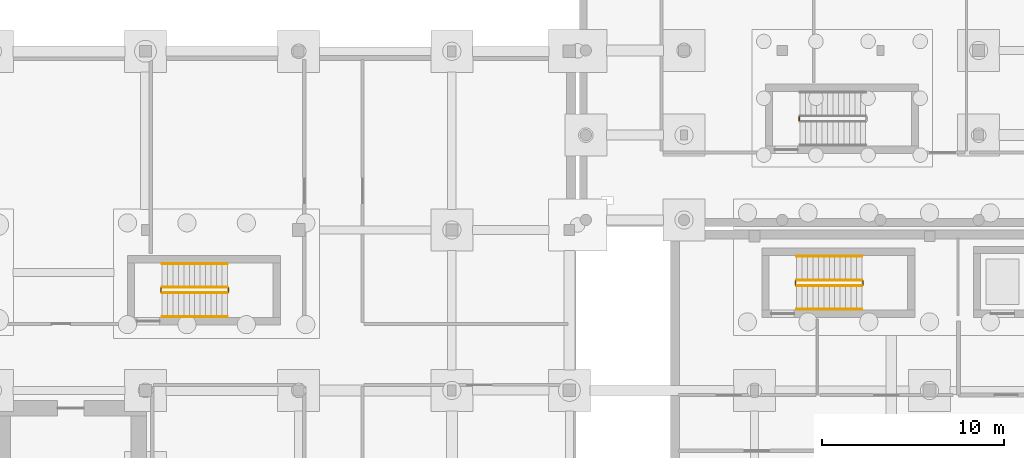
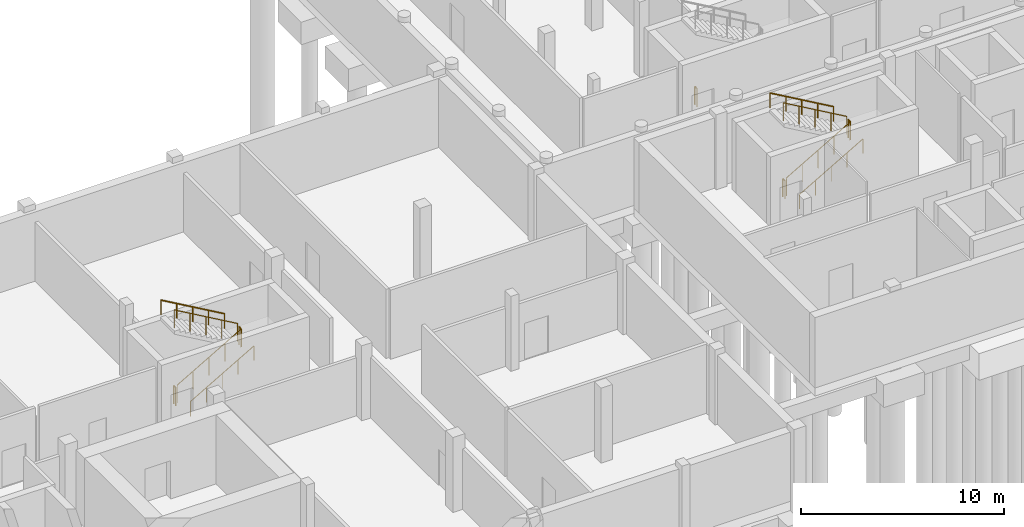
# One storey, part 11 of 14: 13 railings.
"""IFC4 building model written with IfcOpenShell, lengths in metres."""

from ifc_helpers import new_model, si_unit, direction, frame, origin, origin_2d, place, context, subcontext, project, spatial, circle, extrude, material, type_object, element, save


model = new_model("IFC4")

# Units and contexts
model_context = context("Model", 3, precision=1e-05, world=origin(), true_north=direction((0.0, 1.0)))
body_context = subcontext(model_context, "Body", "Model", "MODEL_VIEW")
ifc_project = project(units=[si_unit("LENGTHUNIT", "METRE"), si_unit("AREAUNIT", "SQUARE_METRE"), si_unit("VOLUMEUNIT", "CUBIC_METRE"), si_unit("PLANEANGLEUNIT", "RADIAN"), si_unit("MASSUNIT", "GRAM", prefix="KILO")], contexts=[model_context])

# Site, building, storey
site_placement = place(None, origin())
site = spatial("IfcSite", under=ifc_project, at=site_placement, CompositionType="ELEMENT")
building_placement = place(site_placement, origin())
building = spatial("IfcBuilding", under=site, at=building_placement, Name="Birchvale Park Specialist Clinic", CompositionType="ELEMENT")
storey_placement = place(building_placement, frame((0.0, 0.0, -4.5)))
storey = spatial("IfcBuildingStorey", under=building, at=storey_placement, Name="B1", CompositionType="ELEMENT", Elevation=-4.5)

# Railings
ifc_material_1 = material(Name="Brushed stainless steel guard railing", Category="steel")
railing_type_1 = type_object("IfcRailingType", Name="RL-GRD1", PredefinedType="GUARDRAIL", material=ifc_material_1)
railing_1_placement = place(storey_placement, frame((63.85009765625, 40.60009765625, 0.0)))
element("IfcRailing", 1, at=railing_1_placement, inside=storey, type_object=railing_type_1, Name="B1 ST1 stair guard 4", PredefinedType="GUARDRAIL", context=body_context, shape_type="SweptSolid", body=[
    extrude(circle(Radius=0.02392578125, at=origin_2d()), frame((0.0, 0.0, 1.076171875), z_axis=(0.0, 1.0, 0.0), x_axis=(-1.0, 0.0, 0.0)), (0.0, 0.0, 1.0), 0.199951171875),
    extrude(circle(Radius=0.02099609375, at=origin_2d()), origin(), (0.0, 0.0, 1.0), 1.052001953125),
    extrude(circle(Radius=0.02099609375, at=origin_2d()), frame((0.0, 0.199951171875, 0.0)), (0.0, 0.0, 1.0), 1.052001953125),
])
railing_2_placement = place(storey_placement, frame((28.89990234375, 31.14990234375, 0.173095703125)))
element("IfcRailing", 2, at=railing_2_placement, inside=storey, type_object=railing_type_1, Name="B1 ST2 stair guard 1", PredefinedType="GUARDRAIL", context=body_context, shape_type="SweptSolid", body=[
    extrude(circle(Radius=0.02392578125, at=origin_2d()), frame((0.0, 0.0, 1.076171875), z_axis=(0.866193409371, 0.0, 0.499708892819), x_axis=(0.0, 1.0, 0.0)), (0.0, 0.0, 1.0), 4.15625),
    extrude(circle(Radius=0.02099609375, at=origin_2d()), origin(), (0.0, 0.0, 1.0), 1.052001953125),
    extrude(circle(Radius=0.02099609375, at=origin_2d()), frame((0.89990234375, 0.0, 0.519287109375)), (0.0, 0.0, 1.0), 1.052001953125),
    extrude(circle(Radius=0.02099609375, at=origin_2d()), frame((1.800048828125, 0.0, 1.03857421875)), (0.0, 0.0, 1.0), 1.052001953125),
    extrude(circle(Radius=0.02099609375, at=origin_2d()), frame((2.7001953125, 0.0, 1.5576171875)), (0.0, 0.0, 1.0), 1.052001953125),
    extrude(circle(Radius=0.02099609375, at=origin_2d()), frame((3.60009765625, 0.0, 2.076904296875)), (0.0, 0.0, 1.0), 1.052001953125),
])
railing_3_placement = place(storey_placement, frame((32.550048828125, 31.199951171875, 2.25)))
element("IfcRailing", 3, at=railing_3_placement, inside=storey, type_object=railing_type_1, Name="B1 ST2 stair guard 2", PredefinedType="GUARDRAIL", context=body_context, shape_type="SweptSolid", body=[
    extrude(circle(Radius=0.02392578125, at=origin_2d()), frame((0.0, 0.0, 1.076171875), z_axis=(0.0, 1.0, 0.0), x_axis=(-1.0, 0.0, 0.0)), (0.0, 0.0, 1.0), 0.199951171875),
    extrude(circle(Radius=0.02099609375, at=origin_2d()), origin(), (0.0, 0.0, 1.0), 1.052001953125),
    extrude(circle(Radius=0.02099609375, at=origin_2d()), frame((0.0, 0.199951171875, 0.0)), (0.0, 0.0, 1.0), 1.052001953125),
])
railing_4_placement = place(storey_placement, frame((32.5, 31.449951171875, 2.423095703125)))
element("IfcRailing", 4, at=railing_4_placement, inside=storey, type_object=railing_type_1, Name="B1 ST2 stair guard 3", PredefinedType="GUARDRAIL", context=body_context, shape_type="SweptSolid", body=[
    extrude(circle(Radius=0.02392578125, at=origin_2d()), frame((0.0, 0.0, 1.076171875), z_axis=(-0.866193409371, 0.0, 0.499708892819), x_axis=(0.0, -1.0, 0.0)), (0.0, 0.0, 1.0), 4.15625),
    extrude(circle(Radius=0.02099609375, at=origin_2d()), origin(), (0.0, 0.0, 1.0), 1.052001953125),
    extrude(circle(Radius=0.02099609375, at=origin_2d()), frame((-0.89990234375, 0.0, 0.519287109375)), (0.0, 0.0, 1.0), 1.052001953125),
    extrude(circle(Radius=0.02099609375, at=origin_2d()), frame((-1.800048828125, 0.0, 1.03857421875)), (0.0, 0.0, 1.0), 1.052001953125),
    extrude(circle(Radius=0.02099609375, at=origin_2d()), frame((-2.7001953125, 0.0, 1.5576171875)), (0.0, 0.0, 1.0), 1.052001953125),
    extrude(circle(Radius=0.02099609375, at=origin_2d()), frame((-3.60009765625, 0.0, 2.076904296875)), (0.0, 0.0, 1.0), 1.052001953125),
])
railing_5_placement = place(storey_placement, frame((28.85009765625, 31.199951171875, 0.0)))
element("IfcRailing", 5, at=railing_5_placement, inside=storey, type_object=railing_type_1, Name="B1 ST2 stair guard 4", PredefinedType="GUARDRAIL", context=body_context, shape_type="SweptSolid", body=[
    extrude(circle(Radius=0.02392578125, at=origin_2d()), frame((0.0, 0.0, 1.076171875), z_axis=(0.0, 1.0, 0.0), x_axis=(-1.0, 0.0, 0.0)), (0.0, 0.0, 1.0), 0.199951171875),
    extrude(circle(Radius=0.02099609375, at=origin_2d()), origin(), (0.0, 0.0, 1.0), 1.052001953125),
    extrude(circle(Radius=0.02099609375, at=origin_2d()), frame((0.0, 0.199951171875, 0.0)), (0.0, 0.0, 1.0), 1.052001953125),
])
railing_6_placement = place(storey_placement, frame((63.699951171875, 31.550048828125, 0.173095703125)))
element("IfcRailing", 6, at=railing_6_placement, inside=storey, type_object=railing_type_1, Name="B1 ST4 stair guard 1", PredefinedType="GUARDRAIL", context=body_context, shape_type="SweptSolid", body=[
    extrude(circle(Radius=0.02392578125, at=origin_2d()), frame((0.0, 0.0, 1.076171875), z_axis=(0.866193409371, 0.0, 0.499708892819), x_axis=(0.0, 1.0, 0.0)), (0.0, 0.0, 1.0), 4.15625),
    extrude(circle(Radius=0.02099609375, at=origin_2d()), origin(), (0.0, 0.0, 1.0), 1.052001953125),
    extrude(circle(Radius=0.02099609375, at=origin_2d()), frame((0.89990234375, 0.0, 0.519287109375)), (0.0, 0.0, 1.0), 1.052001953125),
    extrude(circle(Radius=0.02099609375, at=origin_2d()), frame((1.800048828125, 0.0, 1.03857421875)), (0.0, 0.0, 1.0), 1.052001953125),
    extrude(circle(Radius=0.02099609375, at=origin_2d()), frame((2.7001953125, 0.0, 1.5576171875)), (0.0, 0.0, 1.0), 1.052001953125),
    extrude(circle(Radius=0.02099609375, at=origin_2d()), frame((3.60009765625, 0.0, 2.076904296875)), (0.0, 0.0, 1.0), 1.052001953125),
])
railing_7_placement = place(storey_placement, frame((67.35009765625, 31.60009765625, 2.25)))
element("IfcRailing", 7, at=railing_7_placement, inside=storey, type_object=railing_type_1, Name="B1 ST4 stair guard 2", PredefinedType="GUARDRAIL", context=body_context, shape_type="SweptSolid", body=[
    extrude(circle(Radius=0.02392578125, at=origin_2d()), frame((0.0, 0.0, 1.076171875), z_axis=(0.0, 1.0, 0.0), x_axis=(-1.0, 0.0, 0.0)), (0.0, 0.0, 1.0), 0.199951171875),
    extrude(circle(Radius=0.02099609375, at=origin_2d()), origin(), (0.0, 0.0, 1.0), 1.052001953125),
    extrude(circle(Radius=0.02099609375, at=origin_2d()), frame((0.0, 0.199951171875, 0.0)), (0.0, 0.0, 1.0), 1.052001953125),
])
railing_8_placement = place(storey_placement, frame((67.300048828125, 31.85009765625, 2.423095703125)))
element("IfcRailing", 8, at=railing_8_placement, inside=storey, type_object=railing_type_1, Name="B1 ST4 stair guard 3", PredefinedType="GUARDRAIL", context=body_context, shape_type="SweptSolid", body=[
    extrude(circle(Radius=0.02392578125, at=origin_2d()), frame((0.0, 0.0, 1.076171875), z_axis=(-0.866193409371, 0.0, 0.499708892819), x_axis=(0.0, -1.0, 0.0)), (0.0, 0.0, 1.0), 4.15625),
    extrude(circle(Radius=0.02099609375, at=origin_2d()), origin(), (0.0, 0.0, 1.0), 1.052001953125),
    extrude(circle(Radius=0.02099609375, at=origin_2d()), frame((-0.89990234375, 0.0, 0.519287109375)), (0.0, 0.0, 1.0), 1.052001953125),
    extrude(circle(Radius=0.02099609375, at=origin_2d()), frame((-1.800048828125, 0.0, 1.03857421875)), (0.0, 0.0, 1.0), 1.052001953125),
    extrude(circle(Radius=0.02099609375, at=origin_2d()), frame((-2.7001953125, 0.0, 1.5576171875)), (0.0, 0.0, 1.0), 1.052001953125),
    extrude(circle(Radius=0.02099609375, at=origin_2d()), frame((-3.60009765625, 0.0, 2.076904296875)), (0.0, 0.0, 1.0), 1.052001953125),
])
railing_9_placement = place(storey_placement, frame((63.64990234375, 31.60009765625, 0.0)))
element("IfcRailing", 9, at=railing_9_placement, inside=storey, type_object=railing_type_1, Name="B1 ST4 stair guard 4", PredefinedType="GUARDRAIL", context=body_context, shape_type="SweptSolid", body=[
    extrude(circle(Radius=0.02392578125, at=origin_2d()), frame((0.0, 0.0, 1.076171875), z_axis=(0.0, 1.0, 0.0), x_axis=(-1.0, 0.0, 0.0)), (0.0, 0.0, 1.0), 0.199951171875),
    extrude(circle(Radius=0.02099609375, at=origin_2d()), origin(), (0.0, 0.0, 1.0), 1.052001953125),
    extrude(circle(Radius=0.02099609375, at=origin_2d()), frame((0.0, 0.199951171875, 0.0)), (0.0, 0.0, 1.0), 1.052001953125),
])
ifc_material_2 = material(Name="Anodised aluminium handrail", Category="aluminium")
railing_type_2 = type_object("IfcRailingType", Name="RL-HND1", PredefinedType="HANDRAIL", material=ifc_material_2)
railing_10_placement = place(storey_placement, frame((28.89990234375, 29.85009765625, 0.173095703125)))
element("IfcRailing", 10, at=railing_10_placement, inside=storey, type_object=railing_type_2, Name="B1 ST2 stair handrail 1", PredefinedType="HANDRAIL", context=body_context, shape_type="SweptSolid", body=[
    extrude(circle(Radius=0.02392578125, at=origin_2d()), frame((0.0, 0.0, 0.8759765625), z_axis=(0.866193409371, 0.0, 0.499708892819), x_axis=(0.0, 1.0, 0.0)), (0.0, 0.0, 1.0), 4.15625),
    extrude(circle(Radius=0.02099609375, at=origin_2d()), origin(), (0.0, 0.0, 1.0), 0.851806640625),
    extrude(circle(Radius=0.02099609375, at=origin_2d()), frame((0.89990234375, 0.0, 0.519287109375)), (0.0, 0.0, 1.0), 0.851806640625),
    extrude(circle(Radius=0.02099609375, at=origin_2d()), frame((1.800048828125, 0.0, 1.03857421875)), (0.0, 0.0, 1.0), 0.851806640625),
    extrude(circle(Radius=0.02099609375, at=origin_2d()), frame((2.7001953125, 0.0, 1.5576171875)), (0.0, 0.0, 1.0), 0.851806640625),
    extrude(circle(Radius=0.02099609375, at=origin_2d()), frame((3.60009765625, 0.0, 2.076904296875)), (0.0, 0.0, 1.0), 0.851806640625),
])
railing_11_placement = place(storey_placement, frame((32.5, 32.75, 2.423095703125)))
element("IfcRailing", 11, at=railing_11_placement, inside=storey, type_object=railing_type_2, Name="B1 ST2 stair handrail 2", PredefinedType="HANDRAIL", context=body_context, shape_type="SweptSolid", body=[
    extrude(circle(Radius=0.02392578125, at=origin_2d()), frame((0.0, 0.0, 0.8759765625), z_axis=(-0.866193409371, 0.0, 0.499708892819), x_axis=(0.0, -1.0, 0.0)), (0.0, 0.0, 1.0), 4.15625),
    extrude(circle(Radius=0.02099609375, at=origin_2d()), origin(), (0.0, 0.0, 1.0), 0.851806640625),
    extrude(circle(Radius=0.02099609375, at=origin_2d()), frame((-0.89990234375, 0.0, 0.519287109375)), (0.0, 0.0, 1.0), 0.851806640625),
    extrude(circle(Radius=0.02099609375, at=origin_2d()), frame((-1.800048828125, 0.0, 1.03857421875)), (0.0, 0.0, 1.0), 0.851806640625),
    extrude(circle(Radius=0.02099609375, at=origin_2d()), frame((-2.7001953125, 0.0, 1.5576171875)), (0.0, 0.0, 1.0), 0.851806640625),
    extrude(circle(Radius=0.02099609375, at=origin_2d()), frame((-3.60009765625, 0.0, 2.076904296875)), (0.0, 0.0, 1.0), 0.851806640625),
])
railing_12_placement = place(storey_placement, frame((63.699951171875, 30.25, 0.173095703125)))
element("IfcRailing", 12, at=railing_12_placement, inside=storey, type_object=railing_type_2, Name="B1 ST4 stair handrail 1", PredefinedType="HANDRAIL", context=body_context, shape_type="SweptSolid", body=[
    extrude(circle(Radius=0.02392578125, at=origin_2d()), frame((0.0, 0.0, 0.8759765625), z_axis=(0.866193409371, 0.0, 0.499708892819), x_axis=(0.0, 1.0, 0.0)), (0.0, 0.0, 1.0), 4.15625),
    extrude(circle(Radius=0.02099609375, at=origin_2d()), origin(), (0.0, 0.0, 1.0), 0.851806640625),
    extrude(circle(Radius=0.02099609375, at=origin_2d()), frame((0.89990234375, 0.0, 0.519287109375)), (0.0, 0.0, 1.0), 0.851806640625),
    extrude(circle(Radius=0.02099609375, at=origin_2d()), frame((1.800048828125, 0.0, 1.03857421875)), (0.0, 0.0, 1.0), 0.851806640625),
    extrude(circle(Radius=0.02099609375, at=origin_2d()), frame((2.7001953125, 0.0, 1.5576171875)), (0.0, 0.0, 1.0), 0.851806640625),
    extrude(circle(Radius=0.02099609375, at=origin_2d()), frame((3.60009765625, 0.0, 2.076904296875)), (0.0, 0.0, 1.0), 0.851806640625),
])
railing_13_placement = place(storey_placement, frame((67.300048828125, 33.14990234375, 2.423095703125)))
element("IfcRailing", 13, at=railing_13_placement, inside=storey, type_object=railing_type_2, Name="B1 ST4 stair handrail 2", PredefinedType="HANDRAIL", context=body_context, shape_type="SweptSolid", body=[
    extrude(circle(Radius=0.02392578125, at=origin_2d()), frame((0.0, 0.0, 0.8759765625), z_axis=(-0.866193409371, 0.0, 0.499708892819), x_axis=(0.0, -1.0, 0.0)), (0.0, 0.0, 1.0), 4.15625),
    extrude(circle(Radius=0.02099609375, at=origin_2d()), origin(), (0.0, 0.0, 1.0), 0.851806640625),
    extrude(circle(Radius=0.02099609375, at=origin_2d()), frame((-0.89990234375, 0.0, 0.519287109375)), (0.0, 0.0, 1.0), 0.851806640625),
    extrude(circle(Radius=0.02099609375, at=origin_2d()), frame((-1.800048828125, 0.0, 1.03857421875)), (0.0, 0.0, 1.0), 0.851806640625),
    extrude(circle(Radius=0.02099609375, at=origin_2d()), frame((-2.7001953125, 0.0, 1.5576171875)), (0.0, 0.0, 1.0), 0.851806640625),
    extrude(circle(Radius=0.02099609375, at=origin_2d()), frame((-3.60009765625, 0.0, 2.076904296875)), (0.0, 0.0, 1.0), 0.851806640625),
])

save(model, "model.ifc")
